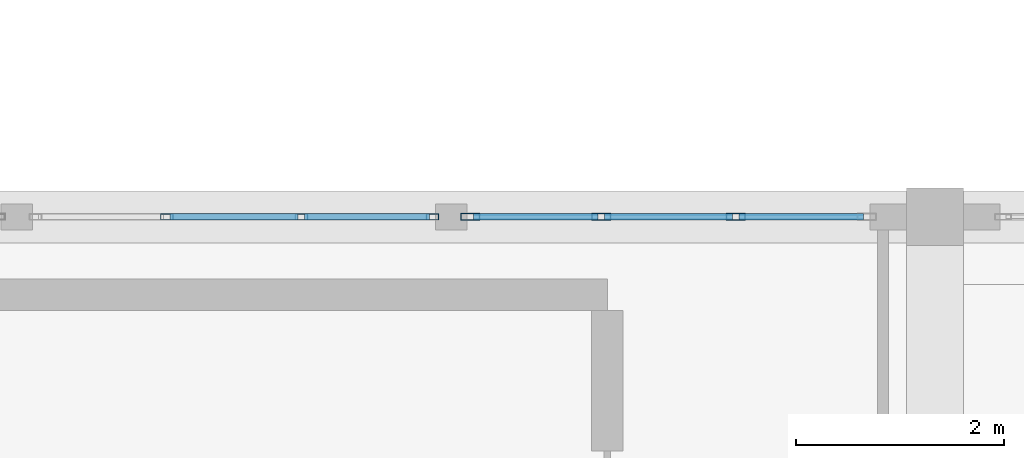
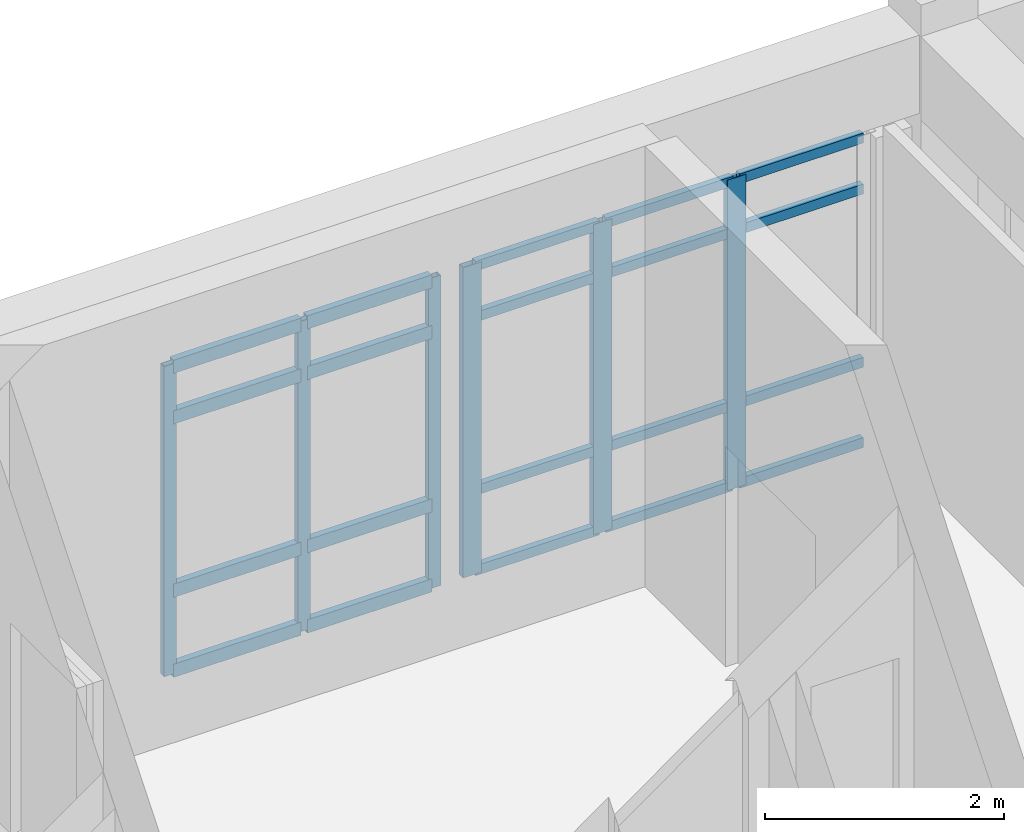
# One storey, part 6 of 109: 26 members, 2 elements without a shape of their own.
"""IFC4 building model written with IfcOpenShell, lengths in metres."""

from ifc_helpers import new_model, si_unit, direction, frame, origin, origin_2d, place, context, subcontext, project, spatial, hollow_rectangle, extrude, material, layer, layer_set, material_profile, profile_set, type_object, element, aggregate, save


model = new_model("IFC4")

# Units and contexts
model_context = context("Model", 3, precision=1e-05, world=origin(), true_north=direction((0.0, 1.0)))
body_context = subcontext(model_context, "Body", "Model", "MODEL_VIEW")
ifc_project = project(units=[si_unit("LENGTHUNIT", "METRE"), si_unit("AREAUNIT", "SQUARE_METRE"), si_unit("VOLUMEUNIT", "CUBIC_METRE"), si_unit("PLANEANGLEUNIT", "RADIAN"), si_unit("MASSUNIT", "GRAM", prefix="KILO")], contexts=[model_context])

# Site, building, storey
site_placement = place(None, origin())
site = spatial("IfcSite", under=ifc_project, at=site_placement, CompositionType="ELEMENT")
building_placement = place(site_placement, origin())
building = spatial("IfcBuilding", under=site, at=building_placement, Name="Fikremerkos Civic Library", CompositionType="ELEMENT")
storey_placement = place(building_placement, frame((0.0, 0.0, 5.39990234375)))
storey = spatial("IfcBuildingStorey", under=building, at=storey_placement, Name="L01", CompositionType="ELEMENT", Elevation=5.39990234375)

# Curtain wall, members
ifc_material = material(Name="Anodized aluminium Frame", Category="aluminium")
ifc_layer_1 = layer(ifc_material, 0.159912109375, Name="Anodized aluminium Frame")
ifc_layer_set_1 = layer_set([ifc_layer_1], Name="Anodized aluminium Frame")
curtain_wall_type_1 = type_object("IfcCurtainWallType", Name="Unitised curtain wall CW-05 3800x4100", PredefinedType="USERDEFINED", material=ifc_layer_set_1)
curtain_wall_1_placement = place(storey_placement, origin())
curtain_wall_1 = element("IfcCurtainWall", 1, at=curtain_wall_1_placement, inside=storey, type_object=curtain_wall_type_1, Name="Unitised curtain wall CW-05 L01 #77", ObjectType="UNITISED CURTAIN WALL", PredefinedType="USERDEFINED")
ifc_material_profile_1 = material_profile(ifc_material, hollow_rectangle(XDim=0.06494140625, YDim=0.179931640625, WallThickness=0.00439453125, at=origin_2d()), Name="ALU 180x65x4.5")
ifc_profile_set_1 = profile_set([ifc_material_profile_1], Name="Anodized aluminium Frame")
member_type_1 = type_object("IfcMemberType", Name="Curtain mullion CWM-01 ALU 180x65x4.5", PredefinedType="MULLION", material=ifc_profile_set_1)
member_1_placement = place(storey_placement, frame((28.233154296875, 31.199951171875, 0.0), z_axis=(0.0, 0.0, 1.0), x_axis=(0.0, 1.0, 0.0)))
member_1 = element("IfcMember", 2, at=member_1_placement, type_object=member_type_1, Name="CW-05 mullion 1", PredefinedType="MULLION", context=body_context, shape_type="SweptSolid", body=[
    extrude(hollow_rectangle(XDim=0.06494140625, YDim=0.179931640625, WallThickness=0.00439453125, at=origin_2d()), origin(), (0.0, 0.0, 1.0), 3.170166015625),
])
member_2_placement = place(storey_placement, frame((29.49267578125, 31.199951171875, 0.0), z_axis=(0.0, 0.0, 1.0), x_axis=(0.0, 1.0, 0.0)))
member_2 = element("IfcMember", 3, at=member_2_placement, type_object=member_type_1, Name="CW-05 mullion 2", PredefinedType="MULLION", context=body_context, shape_type="SweptSolid", body=[
    extrude(hollow_rectangle(XDim=0.06494140625, YDim=0.179931640625, WallThickness=0.00439453125, at=origin_2d()), origin(), (0.0, 0.0, 1.0), 3.170166015625),
])
member_3_placement = place(storey_placement, frame((30.784912109375, 31.199951171875, 0.0), z_axis=(0.0, 0.0, 1.0), x_axis=(0.0, 1.0, 0.0)))
member_3 = element("IfcMember", 4, at=member_3_placement, type_object=member_type_1, Name="CW-05 mullion 3", PredefinedType="MULLION", context=body_context, shape_type="SweptSolid", body=[
    extrude(hollow_rectangle(XDim=0.06494140625, YDim=0.179931640625, WallThickness=0.00439453125, at=origin_2d()), origin(), (0.0, 0.0, 1.0), 3.170166015625),
])

ifc_layer_2 = layer(ifc_material, 0.159912109375, Name="Anodized aluminium Frame")
ifc_layer_set_2 = layer_set([ifc_layer_2], Name="Anodized aluminium Frame")
curtain_wall_type_2 = type_object("IfcCurtainWallType", Name="Unitised curtain wall CW-04 3400x3600", PredefinedType="USERDEFINED", material=ifc_layer_set_2)
curtain_wall_2_placement = place(storey_placement, origin())
curtain_wall_2 = element("IfcCurtainWall", 5, at=curtain_wall_2_placement, inside=storey, type_object=curtain_wall_type_2, Name="Unitised curtain wall CW-04 L01 #76", ObjectType="UNITISED CURTAIN WALL", PredefinedType="USERDEFINED")
ifc_material_profile_2 = material_profile(ifc_material, hollow_rectangle(XDim=0.06005859375, YDim=0.1201171875, WallThickness=0.00390625, at=origin_2d()), Name="ALU 120x60x4")
ifc_profile_set_2 = profile_set([ifc_material_profile_2], Name="Anodized aluminium Frame")
member_type_2 = type_object("IfcMemberType", Name="Curtain mullion CWM-04 ALU 120x60x4", PredefinedType="MULLION", material=ifc_profile_set_2)
member_4_placement = place(storey_placement, frame((25.31640625, 31.199951171875, 0.0), z_axis=(0.0, 0.0, 1.0), x_axis=(0.0, 1.0, 0.0)))
member_4 = element("IfcMember", 6, at=member_4_placement, type_object=member_type_2, Name="CW-04 mullion 2", PredefinedType="MULLION", context=body_context, shape_type="SweptSolid", body=[
    extrude(hollow_rectangle(XDim=0.06005859375, YDim=0.1201171875, WallThickness=0.00390625, at=origin_2d()), origin(), (0.0, 0.0, 1.0), 3.170166015625),
])
member_5_placement = place(storey_placement, frame((26.608642578125, 31.199951171875, 0.0), z_axis=(0.0, 0.0, 1.0), x_axis=(0.0, 1.0, 0.0)))
member_5 = element("IfcMember", 7, at=member_5_placement, type_object=member_type_2, Name="CW-04 mullion 3", PredefinedType="MULLION", context=body_context, shape_type="SweptSolid", body=[
    extrude(hollow_rectangle(XDim=0.06005859375, YDim=0.1201171875, WallThickness=0.00390625, at=origin_2d()), origin(), (0.0, 0.0, 1.0), 3.170166015625),
])
member_6_placement = place(storey_placement, frame((27.87060546875, 31.199951171875, 0.0), z_axis=(0.0, 0.0, 1.0), x_axis=(0.0, 1.0, 0.0)))
member_6 = element("IfcMember", 8, at=member_6_placement, type_object=member_type_2, Name="CW-04 mullion 4", PredefinedType="MULLION", context=body_context, shape_type="SweptSolid", body=[
    extrude(hollow_rectangle(XDim=0.06005859375, YDim=0.1201171875, WallThickness=0.00390625, at=origin_2d()), origin(), (0.0, 0.0, 1.0), 3.170166015625),
])
ifc_material_profile_3 = material_profile(ifc_material, hollow_rectangle(XDim=0.06494140625, YDim=0.135009765625, WallThickness=0.00439453125, at=origin_2d()), Name="ALU 135x65x4.5")
ifc_profile_set_3 = profile_set([ifc_material_profile_3], Name="Anodized aluminium Frame")
member_type_3 = type_object("IfcMemberType", Name="Curtain transom CWT-02 ALU 135x65x4.5", PredefinedType="USERDEFINED", material=ifc_profile_set_3)
member_7_placement = place(storey_placement, frame((25.346435546875, 31.199951171875, 0.03271484375), z_axis=(1.0, 0.0, 0.0), x_axis=(0.0, 1.0, 0.0)))
member_7 = element("IfcMember", 9, at=member_7_placement, type_object=member_type_3, Name="CW-04 transom 2.1", ObjectType="TRANSOM", PredefinedType="USERDEFINED", context=body_context, shape_type="SweptSolid", body=[
    extrude(hollow_rectangle(XDim=0.06494140625, YDim=0.135009765625, WallThickness=0.00439453125, at=origin_2d()), origin(), (0.0, 0.0, 1.0), 1.232177734375),
])
member_8_placement = place(storey_placement, frame((25.346435546875, 31.199951171875, 0.85009765625), z_axis=(1.0, 0.0, 0.0), x_axis=(0.0, 1.0, 0.0)))
member_8 = element("IfcMember", 10, at=member_8_placement, type_object=member_type_3, Name="CW-04 transom 2.2", ObjectType="TRANSOM", PredefinedType="USERDEFINED", context=body_context, shape_type="SweptSolid", body=[
    extrude(hollow_rectangle(XDim=0.06494140625, YDim=0.135009765625, WallThickness=0.00439453125, at=origin_2d()), origin(), (0.0, 0.0, 1.0), 1.232177734375),
])
member_9_placement = place(storey_placement, frame((25.346435546875, 31.199951171875, 2.6201171875), z_axis=(1.0, 0.0, 0.0), x_axis=(0.0, 1.0, 0.0)))
member_9 = element("IfcMember", 11, at=member_9_placement, type_object=member_type_3, Name="CW-04 transom 2.3", ObjectType="TRANSOM", PredefinedType="USERDEFINED", context=body_context, shape_type="SweptSolid", body=[
    extrude(hollow_rectangle(XDim=0.06494140625, YDim=0.135009765625, WallThickness=0.00439453125, at=origin_2d()), origin(), (0.0, 0.0, 1.0), 1.232177734375),
])
member_10_placement = place(storey_placement, frame((25.346435546875, 31.199951171875, 3.1376953125), z_axis=(1.0, 0.0, 0.0), x_axis=(0.0, 1.0, 0.0)))
member_10 = element("IfcMember", 12, at=member_10_placement, type_object=member_type_3, Name="CW-04 transom 2.4", ObjectType="TRANSOM", PredefinedType="USERDEFINED", context=body_context, shape_type="SweptSolid", body=[
    extrude(hollow_rectangle(XDim=0.06494140625, YDim=0.135009765625, WallThickness=0.00439453125, at=origin_2d()), origin(), (0.0, 0.0, 1.0), 1.232177734375),
])
member_11_placement = place(storey_placement, frame((26.638671875, 31.199951171875, 0.03271484375), z_axis=(1.0, 0.0, 0.0), x_axis=(0.0, 1.0, 0.0)))
member_11 = element("IfcMember", 13, at=member_11_placement, type_object=member_type_3, Name="CW-04 transom 3.1", ObjectType="TRANSOM", PredefinedType="USERDEFINED", context=body_context, shape_type="SweptSolid", body=[
    extrude(hollow_rectangle(XDim=0.06494140625, YDim=0.135009765625, WallThickness=0.00439453125, at=origin_2d()), origin(), (0.0, 0.0, 1.0), 1.201904296875),
])
member_12_placement = place(storey_placement, frame((26.638671875, 31.199951171875, 0.85009765625), z_axis=(1.0, 0.0, 0.0), x_axis=(0.0, 1.0, 0.0)))
member_12 = element("IfcMember", 14, at=member_12_placement, type_object=member_type_3, Name="CW-04 transom 3.2", ObjectType="TRANSOM", PredefinedType="USERDEFINED", context=body_context, shape_type="SweptSolid", body=[
    extrude(hollow_rectangle(XDim=0.06494140625, YDim=0.135009765625, WallThickness=0.00439453125, at=origin_2d()), origin(), (0.0, 0.0, 1.0), 1.201904296875),
])
member_13_placement = place(storey_placement, frame((26.638671875, 31.199951171875, 2.6201171875), z_axis=(1.0, 0.0, 0.0), x_axis=(0.0, 1.0, 0.0)))
member_13 = element("IfcMember", 15, at=member_13_placement, type_object=member_type_3, Name="CW-04 transom 3.3", ObjectType="TRANSOM", PredefinedType="USERDEFINED", context=body_context, shape_type="SweptSolid", body=[
    extrude(hollow_rectangle(XDim=0.06494140625, YDim=0.135009765625, WallThickness=0.00439453125, at=origin_2d()), origin(), (0.0, 0.0, 1.0), 1.201904296875),
])
member_14_placement = place(storey_placement, frame((26.638671875, 31.199951171875, 3.1376953125), z_axis=(1.0, 0.0, 0.0), x_axis=(0.0, 1.0, 0.0)))
member_14 = element("IfcMember", 16, at=member_14_placement, type_object=member_type_3, Name="CW-04 transom 3.4", ObjectType="TRANSOM", PredefinedType="USERDEFINED", context=body_context, shape_type="SweptSolid", body=[
    extrude(hollow_rectangle(XDim=0.06494140625, YDim=0.135009765625, WallThickness=0.00439453125, at=origin_2d()), origin(), (0.0, 0.0, 1.0), 1.201904296875),
])
aggregate(curtain_wall_2, [member_4, member_5, member_6, member_7, member_8, member_9, member_10, member_11, member_12, member_13, member_14])

# Member
ifc_material_profile_4 = material_profile(ifc_material, hollow_rectangle(XDim=0.06005859375, YDim=0.10009765625, WallThickness=0.00390625, at=origin_2d()), Name="ALU 100x60x4")
ifc_profile_set_4 = profile_set([ifc_material_profile_4], Name="Anodized aluminium Frame")
member_type_4 = type_object("IfcMemberType", Name="Curtain transom CWT-03 ALU 100x60x4", PredefinedType="USERDEFINED", material=ifc_profile_set_4)
member_15_placement = place(storey_placement, frame((28.265625, 31.199951171875, 0.030029296875), z_axis=(1.0, 0.0, 0.0), x_axis=(0.0, 1.0, 0.0)))
member_15 = element("IfcMember", 17, at=member_15_placement, type_object=member_type_4, Name="CW-05 transom 1.1", ObjectType="TRANSOM", PredefinedType="USERDEFINED", context=body_context, shape_type="SweptSolid", body=[
    extrude(hollow_rectangle(XDim=0.06005859375, YDim=0.10009765625, WallThickness=0.00390625, at=origin_2d()), origin(), (0.0, 0.0, 1.0), 1.194580078125),
])

member_16_placement = place(storey_placement, frame((28.265625, 31.199951171875, 0.85009765625), z_axis=(1.0, 0.0, 0.0), x_axis=(0.0, 1.0, 0.0)))
member_16 = element("IfcMember", 18, at=member_16_placement, type_object=member_type_4, Name="CW-05 transom 1.2", ObjectType="TRANSOM", PredefinedType="USERDEFINED", context=body_context, shape_type="SweptSolid", body=[
    extrude(hollow_rectangle(XDim=0.06005859375, YDim=0.10009765625, WallThickness=0.00390625, at=origin_2d()), origin(), (0.0, 0.0, 1.0), 1.194580078125),
])

member_17_placement = place(storey_placement, frame((28.265625, 31.199951171875, 2.6201171875), z_axis=(1.0, 0.0, 0.0), x_axis=(0.0, 1.0, 0.0)))
member_17 = element("IfcMember", 19, at=member_17_placement, type_object=member_type_4, Name="CW-05 transom 1.3", ObjectType="TRANSOM", PredefinedType="USERDEFINED", context=body_context, shape_type="SweptSolid", body=[
    extrude(hollow_rectangle(XDim=0.06005859375, YDim=0.10009765625, WallThickness=0.00390625, at=origin_2d()), origin(), (0.0, 0.0, 1.0), 1.194580078125),
])

member_18_placement = place(storey_placement, frame((28.265625, 31.199951171875, 3.14013671875), z_axis=(1.0, 0.0, 0.0), x_axis=(0.0, 1.0, 0.0)))
member_18 = element("IfcMember", 20, at=member_18_placement, type_object=member_type_4, Name="CW-05 transom 1.4", ObjectType="TRANSOM", PredefinedType="USERDEFINED", context=body_context, shape_type="SweptSolid", body=[
    extrude(hollow_rectangle(XDim=0.06005859375, YDim=0.10009765625, WallThickness=0.00390625, at=origin_2d()), origin(), (0.0, 0.0, 1.0), 1.194580078125),
])

member_19_placement = place(storey_placement, frame((29.525390625, 31.199951171875, 0.030029296875), z_axis=(1.0, 0.0, 0.0), x_axis=(0.0, 1.0, 0.0)))
member_19 = element("IfcMember", 21, at=member_19_placement, type_object=member_type_4, Name="CW-05 transom 2.1", ObjectType="TRANSOM", PredefinedType="USERDEFINED", context=body_context, shape_type="SweptSolid", body=[
    extrude(hollow_rectangle(XDim=0.06005859375, YDim=0.10009765625, WallThickness=0.00390625, at=origin_2d()), origin(), (0.0, 0.0, 1.0), 1.22705078125),
])

member_20_placement = place(storey_placement, frame((29.525390625, 31.199951171875, 0.85009765625), z_axis=(1.0, 0.0, 0.0), x_axis=(0.0, 1.0, 0.0)))
member_20 = element("IfcMember", 22, at=member_20_placement, type_object=member_type_4, Name="CW-05 transom 2.2", ObjectType="TRANSOM", PredefinedType="USERDEFINED", context=body_context, shape_type="SweptSolid", body=[
    extrude(hollow_rectangle(XDim=0.06005859375, YDim=0.10009765625, WallThickness=0.00390625, at=origin_2d()), origin(), (0.0, 0.0, 1.0), 1.22705078125),
])

member_21_placement = place(storey_placement, frame((29.525390625, 31.199951171875, 2.6201171875), z_axis=(1.0, 0.0, 0.0), x_axis=(0.0, 1.0, 0.0)))
member_21 = element("IfcMember", 23, at=member_21_placement, type_object=member_type_4, Name="CW-05 transom 2.3", ObjectType="TRANSOM", PredefinedType="USERDEFINED", context=body_context, shape_type="SweptSolid", body=[
    extrude(hollow_rectangle(XDim=0.06005859375, YDim=0.10009765625, WallThickness=0.00390625, at=origin_2d()), origin(), (0.0, 0.0, 1.0), 1.22705078125),
])

member_22_placement = place(storey_placement, frame((29.525390625, 31.199951171875, 3.14013671875), z_axis=(1.0, 0.0, 0.0), x_axis=(0.0, 1.0, 0.0)))
member_22 = element("IfcMember", 24, at=member_22_placement, type_object=member_type_4, Name="CW-05 transom 2.4", ObjectType="TRANSOM", PredefinedType="USERDEFINED", context=body_context, shape_type="SweptSolid", body=[
    extrude(hollow_rectangle(XDim=0.06005859375, YDim=0.10009765625, WallThickness=0.00390625, at=origin_2d()), origin(), (0.0, 0.0, 1.0), 1.22705078125),
])

member_23_placement = place(storey_placement, frame((30.8173828125, 31.199951171875, 0.030029296875), z_axis=(1.0, 0.0, 0.0), x_axis=(0.0, 1.0, 0.0)))
member_23 = element("IfcMember", 25, at=member_23_placement, type_object=member_type_4, Name="CW-05 transom 3.1", ObjectType="TRANSOM", PredefinedType="USERDEFINED", context=body_context, shape_type="SweptSolid", body=[
    extrude(hollow_rectangle(XDim=0.06005859375, YDim=0.10009765625, WallThickness=0.00390625, at=origin_2d()), origin(), (0.0, 0.0, 1.0), 1.194580078125),
])

member_24_placement = place(storey_placement, frame((30.8173828125, 31.199951171875, 0.85009765625), z_axis=(1.0, 0.0, 0.0), x_axis=(0.0, 1.0, 0.0)))
member_24 = element("IfcMember", 26, at=member_24_placement, type_object=member_type_4, Name="CW-05 transom 3.2", ObjectType="TRANSOM", PredefinedType="USERDEFINED", context=body_context, shape_type="SweptSolid", body=[
    extrude(hollow_rectangle(XDim=0.06005859375, YDim=0.10009765625, WallThickness=0.00390625, at=origin_2d()), origin(), (0.0, 0.0, 1.0), 1.194580078125),
])

member_25_placement = place(storey_placement, frame((30.8173828125, 31.199951171875, 2.6201171875), z_axis=(1.0, 0.0, 0.0), x_axis=(0.0, 1.0, 0.0)))
member_25 = element("IfcMember", 27, at=member_25_placement, type_object=member_type_4, Name="CW-05 transom 3.3", ObjectType="TRANSOM", PredefinedType="USERDEFINED", context=body_context, shape_type="SweptSolid", body=[
    extrude(hollow_rectangle(XDim=0.06005859375, YDim=0.10009765625, WallThickness=0.00390625, at=origin_2d()), origin(), (0.0, 0.0, 1.0), 1.194580078125),
])

member_26_placement = place(storey_placement, frame((30.8173828125, 31.199951171875, 3.14013671875), z_axis=(1.0, 0.0, 0.0), x_axis=(0.0, 1.0, 0.0)))
member_26 = element("IfcMember", 28, at=member_26_placement, type_object=member_type_4, Name="CW-05 transom 3.4", ObjectType="TRANSOM", PredefinedType="USERDEFINED", context=body_context, shape_type="SweptSolid", body=[
    extrude(hollow_rectangle(XDim=0.06005859375, YDim=0.10009765625, WallThickness=0.00390625, at=origin_2d()), origin(), (0.0, 0.0, 1.0), 1.194580078125),
])

aggregate(curtain_wall_1, [member_1, member_2, member_3, member_15, member_16, member_17, member_18, member_19, member_20, member_21, member_22, member_23, member_24, member_25, member_26])

save(model, "model.ifc")
